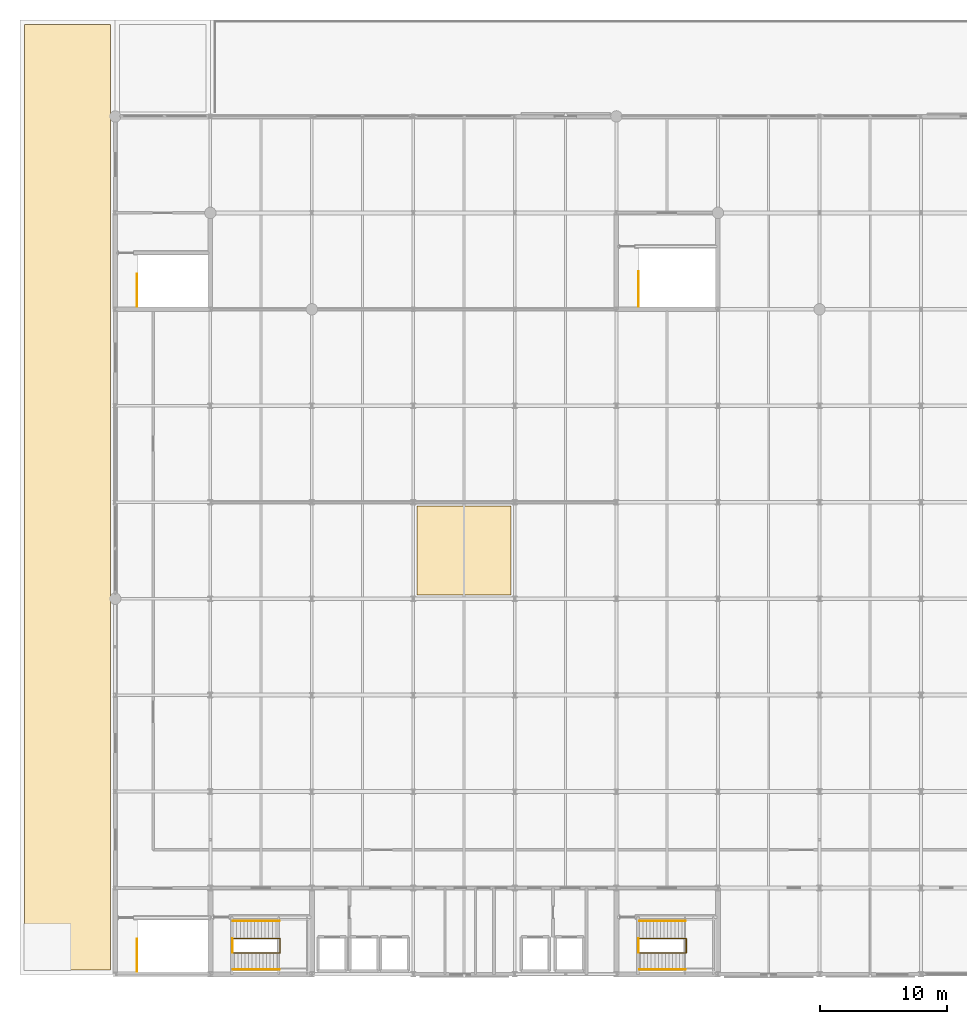
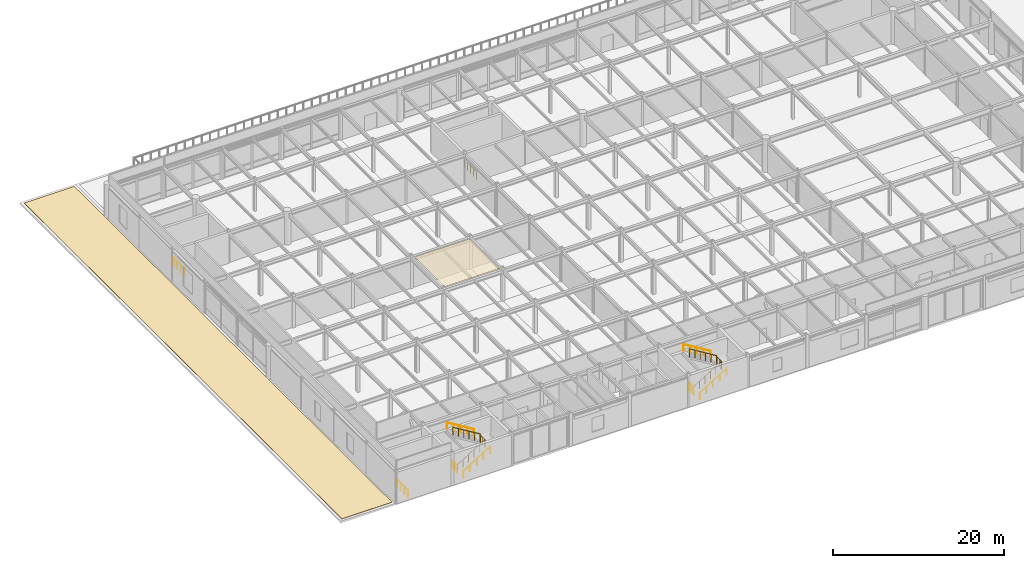
# One storey, part 42 of 43: 11 railings, 2 coverings.
"""IFC4 building model written with IfcOpenShell, lengths in metres."""

from ifc_helpers import new_model, si_unit, direction, frame, origin, origin_2d, place, context, subcontext, project, spatial, polyline, circle, outline, extrude, material, layer, layer_set, type_object, element, save


model = new_model("IFC4")

# Units and contexts
model_context = context("Model", 3, precision=1e-05, world=origin(), true_north=direction((0.0, 1.0)))
body_context = subcontext(model_context, "Body", "Model", "MODEL_VIEW")
ifc_project = project(units=[si_unit("LENGTHUNIT", "METRE"), si_unit("AREAUNIT", "SQUARE_METRE"), si_unit("VOLUMEUNIT", "CUBIC_METRE"), si_unit("PLANEANGLEUNIT", "RADIAN"), si_unit("MASSUNIT", "GRAM", prefix="KILO")], contexts=[model_context])

# Site, building, storey
site_placement = place(None, origin())
site = spatial("IfcSite", under=ifc_project, at=site_placement, CompositionType="ELEMENT")
building_placement = place(site_placement, origin())
building = spatial("IfcBuilding", under=site, at=building_placement, Name="Shalkamar Park Central Library", CompositionType="ELEMENT")
storey_placement = place(building_placement, frame((0.0, 0.0, 15.60009765625)))
storey = spatial("IfcBuildingStorey", under=building, at=storey_placement, Name="L04", CompositionType="ELEMENT", Elevation=15.60009765625)

# Coverings
ifc_material_1 = material(Name="Acoustic mineral fibre ceiling panel", Category="other")
ifc_layer_1 = layer(ifc_material_1, 0.02490234375)
ifc_layer_set_1 = layer_set([ifc_layer_1], Name="AcousticMineralCeilingTile")
covering_type_1 = type_object("IfcCoveringType", Name="Acoustic Mineral Ceiling Tile", PredefinedType="CEILING", material=ifc_layer_set_1)
covering_1_placement = place(storey_placement, frame((0.0, 0.0, 4.454833984375)))
element("IfcCovering", 1, at=covering_1_placement, inside=storey, type_object=covering_type_1, Name="Acoustic Reading Ceiling Panel L04", PredefinedType="CEILING", context=body_context, shape_type="SweptSolid", body=[
    extrude(outline(polyline([(181.300048828125, 278.300048828125), (188.699951171875, 278.300048828125), (188.699951171875, 285.300048828125), (181.300048828125, 285.300048828125), (181.300048828125, 278.300048828125)])), origin(), (0.0, 0.0, 1.0), 0.025146484375),
])
ifc_material_2 = material(Name="SBS modified bitumen roofing membrane", Category="other")
ifc_layer_2 = layer(ifc_material_2, 0.030029296875)
ifc_layer_set_2 = layer_set([ifc_layer_2], Name="ColdClimateRoofMembrane")
covering_type_2 = type_object("IfcCoveringType", Name="Cold Climate Roof Membrane", PredefinedType="ROOFING", material=ifc_layer_set_2)
covering_2_placement = place(storey_placement, origin())
element("IfcCovering", 2, at=covering_2_placement, inside=storey, type_object=covering_type_2, Name="SBS Roof Waterproofing Membrane RF-L03-W", PredefinedType="ROOFING", context=body_context, shape_type="SweptSolid", body=[
    extrude(outline(polyline([(150.35009765625, 248.75), (157.14990234375, 248.75), (157.14990234375, 323.25), (150.35009765625, 323.25), (150.35009765625, 248.75)])), origin(), (0.0, 0.0, 1.0), 0.02978515625),
])

# Railings
ifc_material_3 = material(Name="Steel S355", Category="steel")
railing_type_1 = type_object("IfcRailingType", Name="Stair Guardrail 1100", PredefinedType="GUARDRAIL", material=ifc_material_3)
railing_1_placement = place(storey_placement, frame((166.800048828125, 250.090087890625, 0.17138671875)))
element("IfcRailing", 3, at=railing_1_placement, inside=storey, type_object=railing_type_1, Name="Stair Inner Well Guardrail ST-T1-L04", PredefinedType="GUARDRAIL", context=body_context, shape_type="SweptSolid", body=[
    extrude(circle(Radius=0.02392578125, at=origin_2d()), frame((0.0, 0.0, 1.076171875), z_axis=(0.852850264322, 0.0, 0.5221555579), x_axis=(0.0, 1.0, 0.0)), (0.0, 0.0, 1.0), 4.267822265625),
    extrude(circle(Radius=0.02392578125, at=origin_2d()), frame((3.639892578125, 0.0, 3.3046875), z_axis=(1.0, 0.0, 0.0), x_axis=(0.0, 1.0, 0.0)), (0.0, 0.0, 1.0), 0.06005859375),
    extrude(circle(Radius=0.02392578125, at=origin_2d()), frame((3.699951171875, 0.0, 3.3046875), z_axis=(0.0, 1.0, 0.0), x_axis=(-1.0, 0.0, 0.0)), (0.0, 0.0, 1.0), 1.119873046875),
    extrude(circle(Radius=0.02392578125, at=origin_2d()), frame((3.699951171875, 1.119873046875, 3.3046875), z_axis=(-0.33070969211, 0.0, 0.943732536021), x_axis=(0.0, -1.0, 0.0)), (0.0, 0.0, 1.0), 0.181640625),
    extrude(circle(Radius=0.02392578125, at=origin_2d()), frame((3.639892578125, 1.119873046875, 3.47607421875), z_axis=(-0.852850264322, 0.0, 0.5221555579), x_axis=(0.0, -1.0, 0.0)), (0.0, 0.0, 1.0), 4.267822265625),
    extrude(circle(Radius=0.02099609375, at=origin_2d()), origin(), (0.0, 0.0, 1.0), 1.052001953125),
    extrude(circle(Radius=0.02099609375, at=origin_2d()), frame((0.72802734375, 0.0, 0.44580078125)), (0.0, 0.0, 1.0), 1.052001953125),
    extrude(circle(Radius=0.02099609375, at=origin_2d()), frame((1.4560546875, 0.0, 0.891357421875)), (0.0, 0.0, 1.0), 1.052001953125),
    extrude(circle(Radius=0.02099609375, at=origin_2d()), frame((2.183837890625, 0.0, 1.337158203125)), (0.0, 0.0, 1.0), 1.052001953125),
    extrude(circle(Radius=0.02099609375, at=origin_2d()), frame((2.911865234375, 0.0, 1.78271484375)), (0.0, 0.0, 1.0), 1.052001953125),
    extrude(circle(Radius=0.02099609375, at=origin_2d()), frame((3.639892578125, 0.0, 2.228515625)), (0.0, 0.0, 1.0), 1.052001953125),
    extrude(circle(Radius=0.02099609375, at=origin_2d()), frame((3.699951171875, 0.0, 2.228515625)), (0.0, 0.0, 1.0), 1.052001953125),
    extrude(circle(Radius=0.02099609375, at=origin_2d()), frame((3.699951171875, 0.56005859375, 2.228515625)), (0.0, 0.0, 1.0), 1.052001953125),
    extrude(circle(Radius=0.02099609375, at=origin_2d()), frame((3.699951171875, 1.119873046875, 2.228515625)), (0.0, 0.0, 1.0), 1.052001953125),
    extrude(circle(Radius=0.02099609375, at=origin_2d()), frame((3.639892578125, 1.119873046875, 2.39990234375)), (0.0, 0.0, 1.0), 1.052001953125),
    extrude(circle(Radius=0.02099609375, at=origin_2d()), frame((2.911865234375, 1.119873046875, 2.845703125)), (0.0, 0.0, 1.0), 1.052001953125),
    extrude(circle(Radius=0.02099609375, at=origin_2d()), frame((2.183837890625, 1.119873046875, 3.291259765625)), (0.0, 0.0, 1.0), 1.052001953125),
    extrude(circle(Radius=0.02099609375, at=origin_2d()), frame((1.4560546875, 1.119873046875, 3.737060546875)), (0.0, 0.0, 1.0), 1.052001953125),
    extrude(circle(Radius=0.02099609375, at=origin_2d()), frame((0.72802734375, 1.119873046875, 4.1826171875)), (0.0, 0.0, 1.0), 1.052001953125),
    extrude(circle(Radius=0.02099609375, at=origin_2d()), frame((0.0, 1.119873046875, 4.62841796875)), (0.0, 0.0, 1.0), 1.052001953125),
])
railing_2_placement = place(storey_placement, frame((166.739990234375, 250.10009765625, 0.0)))
element("IfcRailing", 4, at=railing_2_placement, inside=storey, type_object=railing_type_1, Name="Stair Arrival Well Guardrail ST-T1 (L04)", PredefinedType="GUARDRAIL", context=body_context, shape_type="SweptSolid", body=[
    extrude(circle(Radius=0.02392578125, at=origin_2d()), frame((0.0, 0.0, 1.076171875), z_axis=(0.0, 1.0, 0.0), x_axis=(-1.0, 0.0, 0.0)), (0.0, 0.0, 1.0), 1.099853515625),
    extrude(circle(Radius=0.02099609375, at=origin_2d()), origin(), (0.0, 0.0, 1.0), 1.052001953125),
    extrude(circle(Radius=0.02099609375, at=origin_2d()), frame((0.0, 0.5498046875, 0.0)), (0.0, 0.0, 1.0), 1.052001953125),
    extrude(circle(Radius=0.02099609375, at=origin_2d()), frame((0.0, 1.099853515625, 0.0)), (0.0, 0.0, 1.0), 1.052001953125),
])
railing_3_placement = place(storey_placement, frame((198.800048828125, 250.090087890625, 0.17138671875)))
element("IfcRailing", 5, at=railing_3_placement, inside=storey, type_object=railing_type_1, Name="Stair Inner Well Guardrail ST-T2-L04", PredefinedType="GUARDRAIL", context=body_context, shape_type="SweptSolid", body=[
    extrude(circle(Radius=0.02392578125, at=origin_2d()), frame((0.0, 0.0, 1.076171875), z_axis=(0.852850264322, 0.0, 0.5221555579), x_axis=(0.0, 1.0, 0.0)), (0.0, 0.0, 1.0), 4.267822265625),
    extrude(circle(Radius=0.02392578125, at=origin_2d()), frame((3.639892578125, 0.0, 3.3046875), z_axis=(1.0, 0.0, 0.0), x_axis=(0.0, 1.0, 0.0)), (0.0, 0.0, 1.0), 0.06005859375),
    extrude(circle(Radius=0.02392578125, at=origin_2d()), frame((3.699951171875, 0.0, 3.3046875), z_axis=(0.0, 1.0, 0.0), x_axis=(-1.0, 0.0, 0.0)), (0.0, 0.0, 1.0), 1.119873046875),
    extrude(circle(Radius=0.02392578125, at=origin_2d()), frame((3.699951171875, 1.119873046875, 3.3046875), z_axis=(-0.33070969211, 0.0, 0.943732536021), x_axis=(0.0, -1.0, 0.0)), (0.0, 0.0, 1.0), 0.181640625),
    extrude(circle(Radius=0.02392578125, at=origin_2d()), frame((3.639892578125, 1.119873046875, 3.47607421875), z_axis=(-0.852850264322, 0.0, 0.5221555579), x_axis=(0.0, -1.0, 0.0)), (0.0, 0.0, 1.0), 4.267822265625),
    extrude(circle(Radius=0.02099609375, at=origin_2d()), origin(), (0.0, 0.0, 1.0), 1.052001953125),
    extrude(circle(Radius=0.02099609375, at=origin_2d()), frame((0.72802734375, 0.0, 0.44580078125)), (0.0, 0.0, 1.0), 1.052001953125),
    extrude(circle(Radius=0.02099609375, at=origin_2d()), frame((1.4560546875, 0.0, 0.891357421875)), (0.0, 0.0, 1.0), 1.052001953125),
    extrude(circle(Radius=0.02099609375, at=origin_2d()), frame((2.183837890625, 0.0, 1.337158203125)), (0.0, 0.0, 1.0), 1.052001953125),
    extrude(circle(Radius=0.02099609375, at=origin_2d()), frame((2.911865234375, 0.0, 1.78271484375)), (0.0, 0.0, 1.0), 1.052001953125),
    extrude(circle(Radius=0.02099609375, at=origin_2d()), frame((3.639892578125, 0.0, 2.228515625)), (0.0, 0.0, 1.0), 1.052001953125),
    extrude(circle(Radius=0.02099609375, at=origin_2d()), frame((3.699951171875, 0.0, 2.228515625)), (0.0, 0.0, 1.0), 1.052001953125),
    extrude(circle(Radius=0.02099609375, at=origin_2d()), frame((3.699951171875, 0.56005859375, 2.228515625)), (0.0, 0.0, 1.0), 1.052001953125),
    extrude(circle(Radius=0.02099609375, at=origin_2d()), frame((3.699951171875, 1.119873046875, 2.228515625)), (0.0, 0.0, 1.0), 1.052001953125),
    extrude(circle(Radius=0.02099609375, at=origin_2d()), frame((3.639892578125, 1.119873046875, 2.39990234375)), (0.0, 0.0, 1.0), 1.052001953125),
    extrude(circle(Radius=0.02099609375, at=origin_2d()), frame((2.911865234375, 1.119873046875, 2.845703125)), (0.0, 0.0, 1.0), 1.052001953125),
    extrude(circle(Radius=0.02099609375, at=origin_2d()), frame((2.183837890625, 1.119873046875, 3.291259765625)), (0.0, 0.0, 1.0), 1.052001953125),
    extrude(circle(Radius=0.02099609375, at=origin_2d()), frame((1.4560546875, 1.119873046875, 3.737060546875)), (0.0, 0.0, 1.0), 1.052001953125),
    extrude(circle(Radius=0.02099609375, at=origin_2d()), frame((0.72802734375, 1.119873046875, 4.1826171875)), (0.0, 0.0, 1.0), 1.052001953125),
    extrude(circle(Radius=0.02099609375, at=origin_2d()), frame((0.0, 1.119873046875, 4.62841796875)), (0.0, 0.0, 1.0), 1.052001953125),
])
railing_4_placement = place(storey_placement, frame((198.739990234375, 250.10009765625, 0.0)))
element("IfcRailing", 6, at=railing_4_placement, inside=storey, type_object=railing_type_1, Name="Stair Arrival Well Guardrail ST-T2 (L04)", PredefinedType="GUARDRAIL", context=body_context, shape_type="SweptSolid", body=[
    extrude(circle(Radius=0.02392578125, at=origin_2d()), frame((0.0, 0.0, 1.076171875), z_axis=(0.0, 1.0, 0.0), x_axis=(-1.0, 0.0, 0.0)), (0.0, 0.0, 1.0), 1.099853515625),
    extrude(circle(Radius=0.02099609375, at=origin_2d()), origin(), (0.0, 0.0, 1.0), 1.052001953125),
    extrude(circle(Radius=0.02099609375, at=origin_2d()), frame((0.0, 0.5498046875, 0.0)), (0.0, 0.0, 1.0), 1.052001953125),
    extrude(circle(Radius=0.02099609375, at=origin_2d()), frame((0.0, 1.099853515625, 0.0)), (0.0, 0.0, 1.0), 1.052001953125),
])
for number, where, name in (
    (7, (159.215087890625, 248.635009765625, 0.0), "Stair Arrival Well Guardrail ST-P1 (L04)"),
    (8, (159.215087890625, 301.034912109375, 0.0), "Stair Arrival Well Guardrail ST-P2 (L04)"),
):
    element("IfcRailing", number, at=place(storey_placement, frame(where)), inside=storey, type_object=railing_type_1, Name=name, PredefinedType="GUARDRAIL", context=body_context, shape_type="SweptSolid", body=[
        extrude(circle(Radius=0.02392578125, at=origin_2d()), frame((0.0, 0.0, 1.076171875), z_axis=(0.0, 1.0, 0.0), x_axis=(-1.0, 0.0, 0.0)), (0.0, 0.0, 1.0), 2.5400390625),
        extrude(circle(Radius=0.02099609375, at=origin_2d()), origin(), (0.0, 0.0, 1.0), 1.052001953125),
        extrude(circle(Radius=0.02099609375, at=origin_2d()), frame((0.0, 0.8466796875, 0.0)), (0.0, 0.0, 1.0), 1.052001953125),
        extrude(circle(Radius=0.02099609375, at=origin_2d()), frame((0.0, 1.693359375, 0.0)), (0.0, 0.0, 1.0), 1.052001953125),
        extrude(circle(Radius=0.02099609375, at=origin_2d()), frame((0.0, 2.5400390625, 0.0)), (0.0, 0.0, 1.0), 1.052001953125),
    ])
railing_5_placement = place(storey_placement, frame((198.735107421875, 301.034912109375, 0.0)))
element("IfcRailing", 9, at=railing_5_placement, inside=storey, type_object=railing_type_1, Name="Stair Arrival Well Guardrail ST-P7 (L04)", PredefinedType="GUARDRAIL", context=body_context, shape_type="SweptSolid", body=[
    extrude(circle(Radius=0.02392578125, at=origin_2d()), frame((0.0, 0.0, 1.076171875), z_axis=(0.0, 1.0, 0.0), x_axis=(-1.0, 0.0, 0.0)), (0.0, 0.0, 1.0), 2.739990234375),
    extrude(circle(Radius=0.02099609375, at=origin_2d()), origin(), (0.0, 0.0, 1.0), 1.052001953125),
    extrude(circle(Radius=0.02099609375, at=origin_2d()), frame((0.0, 0.68505859375, 0.0)), (0.0, 0.0, 1.0), 1.052001953125),
    extrude(circle(Radius=0.02099609375, at=origin_2d()), frame((0.0, 1.3701171875, 0.0)), (0.0, 0.0, 1.0), 1.052001953125),
    extrude(circle(Radius=0.02099609375, at=origin_2d()), frame((0.0, 2.054931640625, 0.0)), (0.0, 0.0, 1.0), 1.052001953125),
    extrude(circle(Radius=0.02099609375, at=origin_2d()), frame((0.0, 2.739990234375, 0.0)), (0.0, 0.0, 1.0), 1.052001953125),
])
railing_type_2 = type_object("IfcRailingType", Name="Stair Pitched Handrail 920", PredefinedType="HANDRAIL", material=ifc_material_3)
railing_6_placement = place(storey_placement, frame((166.800048828125, 248.780029296875, 0.17138671875)))
element("IfcRailing", 10, at=railing_6_placement, inside=storey, type_object=railing_type_2, Name="Stair Wall Handrail ST-T1-L04 Flight 1", PredefinedType="HANDRAIL", context=body_context, shape_type="SweptSolid", body=[
    extrude(circle(Radius=0.02392578125, at=origin_2d()), frame((0.0, 0.0, 0.89599609375), z_axis=(0.852850264322, 0.0, 0.5221555579), x_axis=(0.0, 1.0, 0.0)), (0.0, 0.0, 1.0), 4.267822265625),
    extrude(circle(Radius=0.02099609375, at=origin_2d()), origin(), (0.0, 0.0, 1.0), 0.871826171875),
    extrude(circle(Radius=0.02099609375, at=origin_2d()), frame((0.909912109375, 0.0, 0.55712890625)), (0.0, 0.0, 1.0), 0.871826171875),
    extrude(circle(Radius=0.02099609375, at=origin_2d()), frame((1.81982421875, 0.0, 1.1142578125)), (0.0, 0.0, 1.0), 0.871826171875),
    extrude(circle(Radius=0.02099609375, at=origin_2d()), frame((2.72998046875, 0.0, 1.67138671875)), (0.0, 0.0, 1.0), 0.871826171875),
    extrude(circle(Radius=0.02099609375, at=origin_2d()), frame((3.639892578125, 0.0, 2.228515625)), (0.0, 0.0, 1.0), 0.871826171875),
])
railing_7_placement = place(storey_placement, frame((170.43994140625, 252.60009765625, 2.5712890625)))
element("IfcRailing", 11, at=railing_7_placement, inside=storey, type_object=railing_type_2, Name="Stair Wall Handrail ST-T1-L04 Flight 2", PredefinedType="HANDRAIL", context=body_context, shape_type="SweptSolid", body=[
    extrude(circle(Radius=0.02392578125, at=origin_2d()), frame((0.0, 0.0, 0.89599609375), z_axis=(-0.852850264322, 0.0, 0.5221555579), x_axis=(0.0, -1.0, 0.0)), (0.0, 0.0, 1.0), 4.267822265625),
    extrude(circle(Radius=0.02099609375, at=origin_2d()), origin(), (0.0, 0.0, 1.0), 0.871826171875),
    extrude(circle(Radius=0.02099609375, at=origin_2d()), frame((-0.909912109375, 0.0, 0.55712890625)), (0.0, 0.0, 1.0), 0.871826171875),
    extrude(circle(Radius=0.02099609375, at=origin_2d()), frame((-1.81982421875, 0.0, 1.1142578125)), (0.0, 0.0, 1.0), 0.871826171875),
    extrude(circle(Radius=0.02099609375, at=origin_2d()), frame((-2.72998046875, 0.0, 1.67138671875)), (0.0, 0.0, 1.0), 0.871826171875),
    extrude(circle(Radius=0.02099609375, at=origin_2d()), frame((-3.639892578125, 0.0, 2.228515625)), (0.0, 0.0, 1.0), 0.871826171875),
])
railing_8_placement = place(storey_placement, frame((198.800048828125, 248.780029296875, 0.17138671875)))
element("IfcRailing", 12, at=railing_8_placement, inside=storey, type_object=railing_type_2, Name="Stair Wall Handrail ST-T2-L04 Flight 1", PredefinedType="HANDRAIL", context=body_context, shape_type="SweptSolid", body=[
    extrude(circle(Radius=0.02392578125, at=origin_2d()), frame((0.0, 0.0, 0.89599609375), z_axis=(0.852850264322, 0.0, 0.5221555579), x_axis=(0.0, 1.0, 0.0)), (0.0, 0.0, 1.0), 4.267822265625),
    extrude(circle(Radius=0.02099609375, at=origin_2d()), origin(), (0.0, 0.0, 1.0), 0.871826171875),
    extrude(circle(Radius=0.02099609375, at=origin_2d()), frame((0.909912109375, 0.0, 0.55712890625)), (0.0, 0.0, 1.0), 0.871826171875),
    extrude(circle(Radius=0.02099609375, at=origin_2d()), frame((1.81982421875, 0.0, 1.1142578125)), (0.0, 0.0, 1.0), 0.871826171875),
    extrude(circle(Radius=0.02099609375, at=origin_2d()), frame((2.72998046875, 0.0, 1.67138671875)), (0.0, 0.0, 1.0), 0.871826171875),
    extrude(circle(Radius=0.02099609375, at=origin_2d()), frame((3.639892578125, 0.0, 2.228515625)), (0.0, 0.0, 1.0), 0.871826171875),
])
railing_9_placement = place(storey_placement, frame((202.43994140625, 252.60009765625, 2.5712890625)))
element("IfcRailing", 13, at=railing_9_placement, inside=storey, type_object=railing_type_2, Name="Stair Wall Handrail ST-T2-L04 Flight 2", PredefinedType="HANDRAIL", context=body_context, shape_type="SweptSolid", body=[
    extrude(circle(Radius=0.02392578125, at=origin_2d()), frame((0.0, 0.0, 0.89599609375), z_axis=(-0.852850264322, 0.0, 0.5221555579), x_axis=(0.0, -1.0, 0.0)), (0.0, 0.0, 1.0), 4.267822265625),
    extrude(circle(Radius=0.02099609375, at=origin_2d()), origin(), (0.0, 0.0, 1.0), 0.871826171875),
    extrude(circle(Radius=0.02099609375, at=origin_2d()), frame((-0.909912109375, 0.0, 0.55712890625)), (0.0, 0.0, 1.0), 0.871826171875),
    extrude(circle(Radius=0.02099609375, at=origin_2d()), frame((-1.81982421875, 0.0, 1.1142578125)), (0.0, 0.0, 1.0), 0.871826171875),
    extrude(circle(Radius=0.02099609375, at=origin_2d()), frame((-2.72998046875, 0.0, 1.67138671875)), (0.0, 0.0, 1.0), 0.871826171875),
    extrude(circle(Radius=0.02099609375, at=origin_2d()), frame((-3.639892578125, 0.0, 2.228515625)), (0.0, 0.0, 1.0), 0.871826171875),
])

save(model, "model.ifc")
